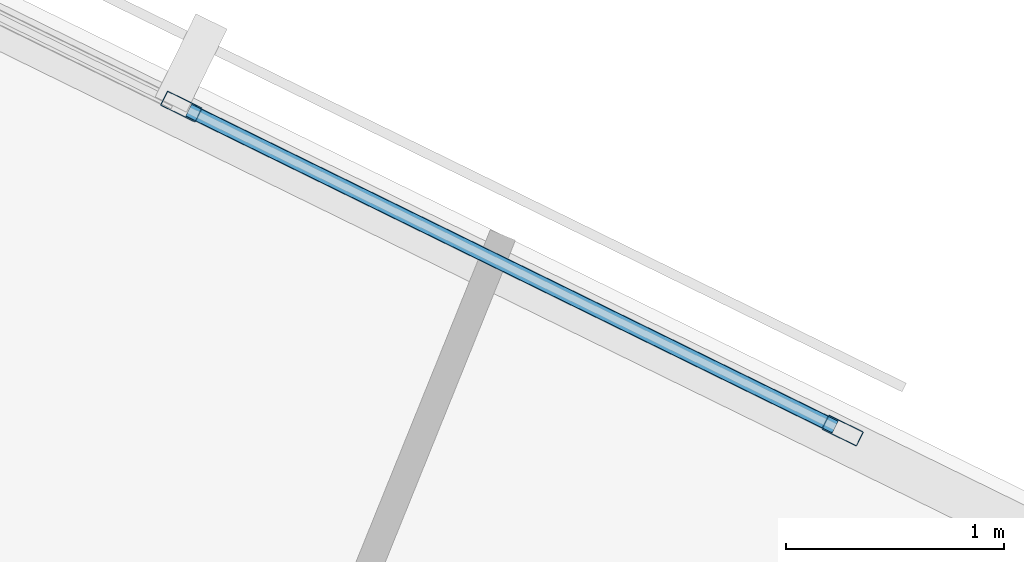
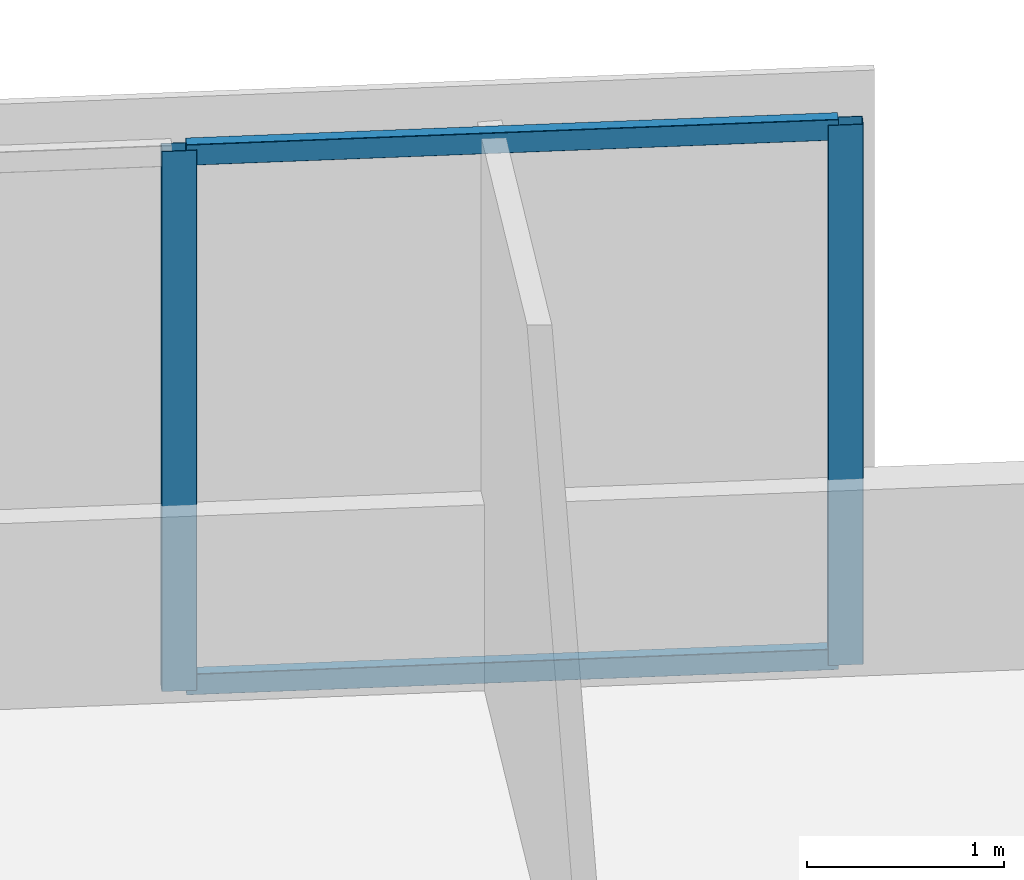
# One storey, part 2 of 18: 4 members, 1 element without a shape of its own.
"""IFC4 building model written with IfcOpenShell, lengths in metres."""

from ifc_helpers import new_model, si_unit, direction, frame, origin, origin_2d, place, context, subcontext, project, spatial, hollow_rectangle, extrude, material, material_profile, profile_set, type_object, element, aggregate, save


model = new_model("IFC4")

# Units and contexts
model_context = context("Model", 3, precision=1e-05, world=origin(), true_north=direction((0.0, 1.0)))
body_context = subcontext(model_context, "Body", "Model", "MODEL_VIEW")
ifc_project = project(units=[si_unit("LENGTHUNIT", "METRE"), si_unit("AREAUNIT", "SQUARE_METRE"), si_unit("VOLUMEUNIT", "CUBIC_METRE"), si_unit("PLANEANGLEUNIT", "RADIAN"), si_unit("MASSUNIT", "GRAM", prefix="KILO")], contexts=[model_context])

# Site, building, storey
site_placement = place(None, origin())
site = spatial("IfcSite", under=ifc_project, at=site_placement, CompositionType="ELEMENT")
building_placement = place(site_placement, origin())
building = spatial("IfcBuilding", under=site, at=building_placement, Name="Narakoshi Arena Tower", CompositionType="ELEMENT")
storey_placement = place(building_placement, frame((0.0, 0.0, 110.10009765625)))
storey = spatial("IfcBuildingStorey", under=building, at=storey_placement, Name="L29", CompositionType="ELEMENT", Elevation=110.10009765625)

# Curtain wall, members
ifc_material = material(Name="Anodised bronze aluminium 6063-T6", Category="aluminium")
curtain_wall_type = type_object("IfcCurtainWallType", Name="CW-HYP-LOW", PredefinedType="NOTDEFINED", material=ifc_material)
curtain_wall_placement = place(storey_placement, origin())
curtain_wall = element("IfcCurtainWall", 1, at=curtain_wall_placement, inside=storey, type_object=curtain_wall_type, Name="L29 Folded Hypotenuse Curtain Wall 2-1", PredefinedType="NOTDEFINED")
ifc_material_profile_1 = material_profile(ifc_material, hollow_rectangle(XDim=0.074951171875, YDim=0.179931640625, WallThickness=0.00390625, OuterFilletRadius=0.0048828125, at=origin_2d()), Name="MUL180x75x4")
ifc_profile_set_1 = profile_set([ifc_material_profile_1], Name="Anodised bronze aluminium 6063-T6")
member_type_1 = type_object("IfcMemberType", Name="MEM-MUL-180", PredefinedType="MULLION", material=ifc_profile_set_1)
member_1_placement = place(storey_placement, frame((87.598876953125, 62.51513671875, 0.0), z_axis=(0.0, 0.0, 1.0), x_axis=(-0.440004510198, -0.89799556291, 0.0)))
member_1 = element("IfcMember", 2, at=member_1_placement, type_object=member_type_1, Name="CW-01 mullion 1", PredefinedType="MULLION", context=body_context, shape_type="SweptSolid", body=[
    extrude(hollow_rectangle(XDim=0.074951171875, YDim=0.179931640625, WallThickness=0.00390625, OuterFilletRadius=0.0048828125, at=origin_2d()), origin(), (0.0, 0.0, 1.0), 3.33984375),
])
member_2_placement = place(storey_placement, frame((84.559326171875, 64.00439453125, 0.0), z_axis=(0.0, 0.0, 1.0), x_axis=(-0.440004510198, -0.89799556291, 0.0)))
member_2 = element("IfcMember", 3, at=member_2_placement, type_object=member_type_1, Name="CW-01 mullion 2", PredefinedType="MULLION", context=body_context, shape_type="SweptSolid", body=[
    extrude(hollow_rectangle(XDim=0.074951171875, YDim=0.179931640625, WallThickness=0.00390625, OuterFilletRadius=0.0048828125, at=origin_2d()), origin(), (0.0, 0.0, 1.0), 3.33984375),
])
ifc_material_profile_2 = material_profile(ifc_material, hollow_rectangle(XDim=0.06494140625, YDim=0.1298828125, WallThickness=0.00390625, OuterFilletRadius=0.0048828125, at=origin_2d()), Name="TRN130x65x4")
ifc_profile_set_2 = profile_set([ifc_material_profile_2], Name="Anodised bronze aluminium 6063-T6")
member_type_2 = type_object("IfcMemberType", Name="MEM-TRN-130", PredefinedType="USERDEFINED", material=ifc_profile_set_2)
member_3_placement = place(storey_placement, frame((87.565185546875, 62.531494140625, 0.032470703125), z_axis=(-0.897968733038, 0.44005926247, 0.0), x_axis=(-0.44005926247, -0.897968733038, 0.0)))
member_3 = element("IfcMember", 4, at=member_3_placement, type_object=member_type_2, Name="CW-01 transom 1.1", ObjectType="TRANSOM", PredefinedType="USERDEFINED", context=body_context, shape_type="SweptSolid", body=[
    extrude(hollow_rectangle(XDim=0.06494140625, YDim=0.1298828125, WallThickness=0.00390625, OuterFilletRadius=0.0048828125, at=origin_2d()), origin(), (0.0, 0.0, 1.0), 3.309814453125),
])
member_4_placement = place(storey_placement, frame((87.565185546875, 62.531494140625, 3.307373046875), z_axis=(-0.897968733038, 0.44005926247, 0.0), x_axis=(-0.44005926247, -0.897968733038, 0.0)))
member_4 = element("IfcMember", 5, at=member_4_placement, type_object=member_type_2, Name="CW-01 transom 1.2", ObjectType="TRANSOM", PredefinedType="USERDEFINED", context=body_context, shape_type="SweptSolid", body=[
    extrude(hollow_rectangle(XDim=0.06494140625, YDim=0.1298828125, WallThickness=0.00390625, OuterFilletRadius=0.0048828125, at=origin_2d()), origin(), (0.0, 0.0, 1.0), 3.309814453125),
])
aggregate(curtain_wall, [member_1, member_2, member_3, member_4])

save(model, "model.ifc")
